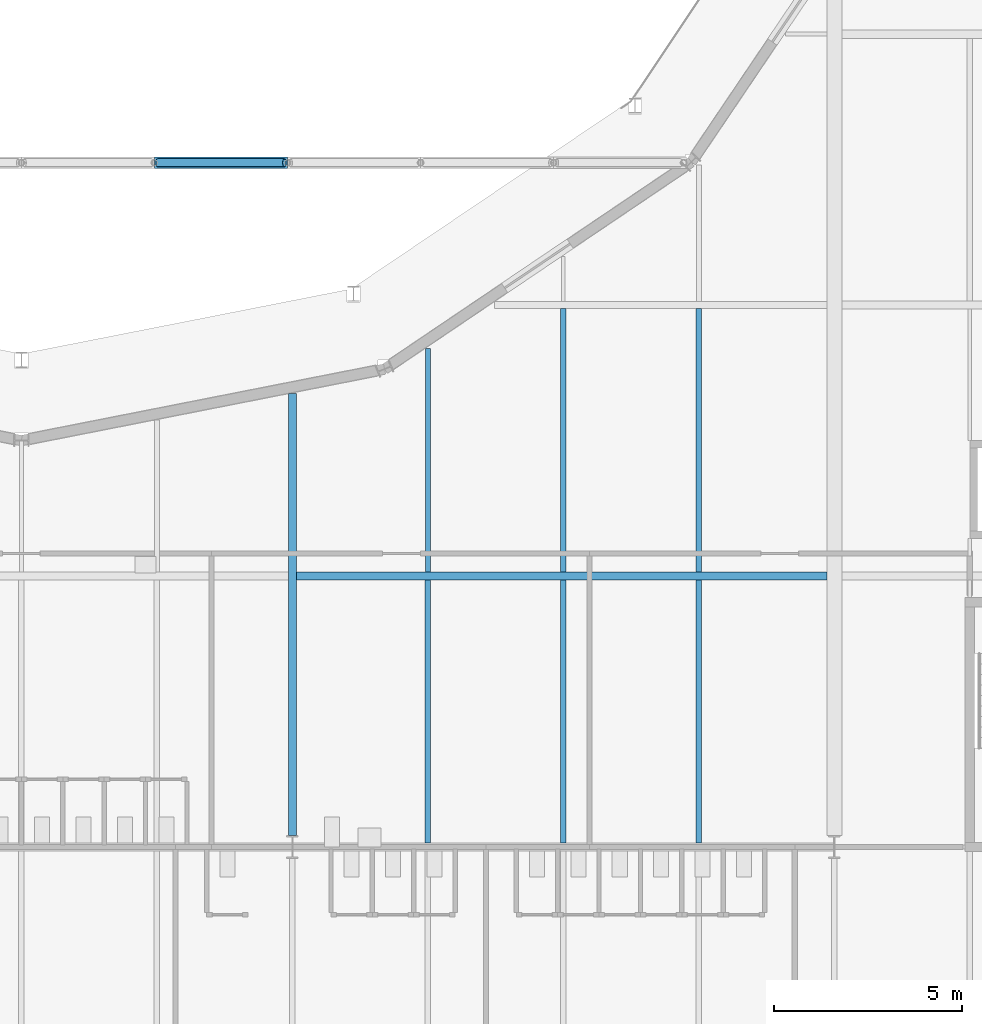
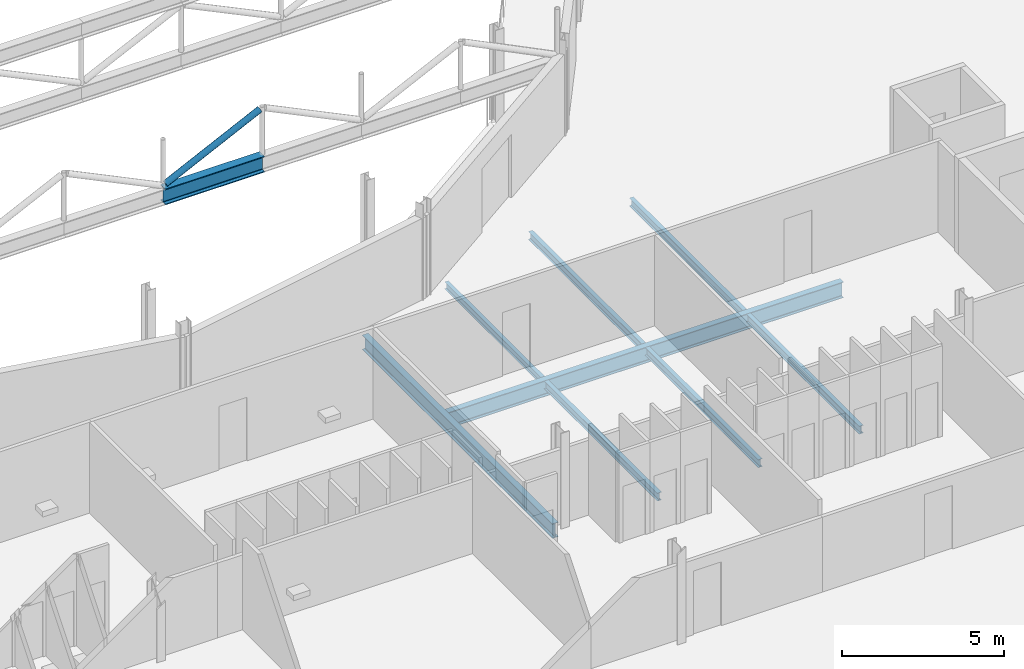
# One storey, part 39 of 143: 8 beams, 2 members.
"""IFC4 building model written with IfcOpenShell, lengths in metres."""

import ifcopenshell
import ifcopenshell.guid

model = None  # the IFC model being written
_history = None  # IfcOwnerHistory: only IFC2X3 demands one
_inside = {}  # id of a spatial element -> (the spatial element, [elements in it])
_under = {}  # id of a project, library or spatial element -> (it, [spatial elements below it])
_declared = {}  # id of a project -> (the project, [libraries it declares])
_typed = {}  # id of a type object -> (the type object, [elements of that type])
_made_of = {}  # id of a material, layer set ... -> (it, [elements and type objects made of it])


def new_model(schema):
    """Start an empty IFC model of exactly this schema.

    Asked for "IFC4X3", IfcOpenShell would pick the latest addendum, in which some entities
    have other attributes; the version numbers below select the first issue.
    IFC2X3 requires an IfcOwnerHistory on every rooted entity: one is made here for all.
    """
    global model, _history
    if schema == "IFC4X3":
        model = ifcopenshell.file(schema_version=(4, 3, 0, 0))
    else:
        model = ifcopenshell.file(schema=schema)
    _inside.clear()
    _under.clear()
    _declared.clear()
    _typed.clear()
    _made_of.clear()
    _history = None
    if model.schema == "IFC2X3":
        org = make("IfcOrganization", Name="unknown")
        user = make(
            "IfcPersonAndOrganization",
            ThePerson=make("IfcPerson", FamilyName="unknown"),
            TheOrganization=org,
        )
        app = make(
            "IfcApplication",
            ApplicationDeveloper=org,
            Version="unknown",
            ApplicationFullName="unknown",
            ApplicationIdentifier="unknown",
        )
        _history = make(
            "IfcOwnerHistory",
            OwningUser=user,
            OwningApplication=app,
            ChangeAction="ADDED",
            CreationDate=0,
        )
    return model


def make(cls, **values):
    """One entity of the class cls with the attributes given. An attribute that is None is left unset."""
    return model.create_entity(
        cls, **{name: value for name, value in values.items() if value is not None}
    )


def rooted(cls, **values):
    """An entity with a GlobalId (a new one), such as an element, a storey or a relation."""
    return make(cls, GlobalId=ifcopenshell.guid.new(), OwnerHistory=_history, **values)


def si_unit(unit_type, name, prefix=None):
    """IfcSIUnit, for example si_unit("LENGTHUNIT", "METRE", prefix="MILLI")."""
    return make("IfcSIUnit", UnitType=unit_type, Prefix=prefix, Name=name)


def assignment(units):
    """IfcUnitAssignment: the units of a project."""
    return None if units is None else make("IfcUnitAssignment", Units=units)


def point(xyz):
    """IfcCartesianPoint."""
    return None if xyz is None else make("IfcCartesianPoint", Coordinates=xyz)


def direction(xyz):
    """IfcDirection."""
    return None if xyz is None else make("IfcDirection", DirectionRatios=xyz)


def frame(location, z_axis=None, x_axis=None):
    """IfcAxis2Placement3D, a coordinate frame: its origin and axes. An axis left out is left unset."""
    return make(
        "IfcAxis2Placement3D",
        Location=point(location),
        Axis=direction(z_axis),
        RefDirection=direction(x_axis),
    )


def frame_2d(location, x_axis=None):
    """IfcAxis2Placement2D, a coordinate frame in the plane: its origin and x axis."""
    return make(
        "IfcAxis2Placement2D", Location=point(location), RefDirection=direction(x_axis)
    )


def origin():
    """The frame at (0, 0, 0) with its axes left unset."""
    return frame((0.0, 0.0, 0.0))


def origin_2d():
    """The frame at (0, 0) in the plane with its x axis left unset."""
    return frame_2d((0.0, 0.0))


def place(relative_to, where):
    """IfcLocalPlacement: puts the frame where relative to a parent placement (None: the world)."""
    return make(
        "IfcLocalPlacement", PlacementRelTo=relative_to, RelativePlacement=where
    )


def context(
    kind, dimensions, precision=None, world=None, true_north=None, identifier=None
):
    """IfcGeometricRepresentationContext, for example the 3D "Model" context."""
    return make(
        "IfcGeometricRepresentationContext",
        ContextIdentifier=identifier,
        ContextType=kind,
        CoordinateSpaceDimension=dimensions,
        Precision=precision,
        WorldCoordinateSystem=world,
        TrueNorth=true_north,
    )


def subcontext(parent, identifier, kind, view, scale=None):
    """IfcGeometricRepresentationSubContext, for example "Body" below "Model"."""
    return make(
        "IfcGeometricRepresentationSubContext",
        ContextIdentifier=identifier,
        ContextType=kind,
        ParentContext=parent,
        TargetScale=scale,
        TargetView=view,
    )


def project(units=None, contexts=None):
    """IfcProject with its units and contexts."""
    return rooted(
        "IfcProject",
        Name="project",
        RepresentationContexts=contexts,
        UnitsInContext=assignment(units),
    )


def spatial(cls, under=None, at=None, **own):
    """A site, building, storey or space (cls), placed at a placement, below another one or the project."""
    s = rooted(cls, ObjectPlacement=at, **own)
    if under is not None:
        _under.setdefault(under.id(), (under, []))[1].append(s)
    return s


def profile(cls, at=None, kind="AREA", **sizes):
    """A parametric profile (cls). Its sizes go by their IFC names, for example OverallWidth=200.0."""
    return make(cls, ProfileType=kind, Position=at, **sizes)


def hollow_circle(**sizes):
    """IfcCircleHollowProfileDef."""
    return profile("IfcCircleHollowProfileDef", **sizes)


def i_section(**sizes):
    """IfcIShapeProfileDef."""
    return profile("IfcIShapeProfileDef", **sizes)


def extrude(swept, where, along, depth):
    """IfcExtrudedAreaSolid: the profile swept, set in the frame where, extruded along a direction by depth."""
    return make(
        "IfcExtrudedAreaSolid",
        SweptArea=swept,
        Position=where,
        ExtrudedDirection=direction(along),
        Depth=depth,
    )


def shape(context_of_items, identifier, shape_type, items):
    """IfcShapeRepresentation: the items that make up one representation, for example the "Body"."""
    return make(
        "IfcShapeRepresentation",
        ContextOfItems=context_of_items,
        RepresentationIdentifier=identifier,
        RepresentationType=shape_type,
        Items=items,
    )


def material(Name=None, Category=None):
    """IfcMaterial."""
    return make("IfcMaterial", Name=Name, Category=Category)


def material_profile(
    of_material, cross_section, Name=None, Category=None, Priority=None
):
    """IfcMaterialProfile: a cross section and its material."""
    return make(
        "IfcMaterialProfile",
        Name=Name,
        Material=of_material,
        Profile=cross_section,
        Priority=Priority,
        Category=Category,
    )


def profile_set(profiles, Name=None, composite=None):
    """IfcMaterialProfileSet."""
    return make(
        "IfcMaterialProfileSet",
        Name=Name,
        MaterialProfiles=profiles,
        CompositeProfile=composite,
    )


def made_of(thing, what):
    """Note that an element or type object is made of a material, layer set ...; save() writes the relation."""
    if what is not None:
        _made_of.setdefault(what.id(), (what, []))[1].append(thing)
    return thing


def type_object(cls, material=None, **own):
    """A type object (cls), such as IfcWallType, which elements share."""
    return made_of(rooted(cls, **own), material)


def element(
    cls,
    number,
    at=None,
    inside=None,
    cuts=None,
    type_object=None,
    material=None,
    context=None,
    identifier="Body",
    shape_type=None,
    held_by="IfcProductDefinitionShape",
    body=None,
    shapes=None,
    **own,
):
    """One element of the class cls, such as IfcWall. Its Tag is "e" and its number.

    at: its placement. inside: the storey or other place that contains it. cuts: it is an
    opening in that element (IfcRelVoidsElement). A single representation is given by context,
    identifier, shape_type and body (its items); several are given by shapes. held_by: the class
    of the entity that holds the representations. save() writes the other relations.
    """
    e = rooted(cls, Tag="e%d" % number, ObjectPlacement=at, **own)
    if body is not None:
        shapes = [shape(context, identifier, shape_type, body)]
    if shapes is not None:
        e.Representation = make(held_by, Representations=shapes)
    if inside is not None:
        _inside.setdefault(inside.id(), (inside, []))[1].append(e)
    if cuts is not None:
        rooted(
            "IfcRelVoidsElement", RelatingBuildingElement=cuts, RelatedOpeningElement=e
        )
    if type_object is not None:
        _typed.setdefault(type_object.id(), (type_object, []))[1].append(e)
    return made_of(e, material)


def aggregate(whole, parts):
    """IfcRelAggregates: a whole, such as a stair, and the parts it consists of."""
    return rooted("IfcRelAggregates", RelatingObject=whole, RelatedObjects=parts)


def save(model, path):
    """Write the relations noted so far, then the file.

    IfcRelAggregates (storeys below a building ...), IfcRelContainedInSpatialStructure (elements
    in a storey), IfcRelDefinesByType, IfcRelAssociatesMaterial and IfcRelDeclares: one each for
    every whole, place, type object, material and project.
    """
    for whole, parts in _under.values():
        aggregate(whole, parts)
    for where, things in _inside.values():
        rooted(
            "IfcRelContainedInSpatialStructure",
            RelatedElements=things,
            RelatingStructure=where,
        )
    for kind, things in _typed.values():
        rooted("IfcRelDefinesByType", RelatedObjects=things, RelatingType=kind)
    for what, things in _made_of.values():
        rooted("IfcRelAssociatesMaterial", RelatedObjects=things, RelatingMaterial=what)
    for by, libraries in _declared.values():
        rooted("IfcRelDeclares", RelatingContext=by, RelatedDefinitions=libraries)
    model.write(path)


model = new_model("IFC4")

# Units and contexts
model_context = context("Model", 3, precision=1e-05, world=origin(), true_north=direction((0.0, 1.0)))
body_context = subcontext(model_context, "Body", "Model", "MODEL_VIEW")
ifc_project = project(units=[si_unit("LENGTHUNIT", "METRE"), si_unit("AREAUNIT", "SQUARE_METRE"), si_unit("VOLUMEUNIT", "CUBIC_METRE"), si_unit("PLANEANGLEUNIT", "RADIAN"), si_unit("MASSUNIT", "GRAM", prefix="KILO")], contexts=[model_context])

# Site, building, storey
site_placement = place(None, origin())
site = spatial("IfcSite", under=ifc_project, at=site_placement, CompositionType="ELEMENT")
building_placement = place(site_placement, origin())
building = spatial("IfcBuilding", under=site, at=building_placement, Name="Kupolbacken Congress Centre", CompositionType="ELEMENT")
storey_placement = place(building_placement, frame((0.0, 0.0, 7.199951171875)))
storey = spatial("IfcBuildingStorey", under=building, at=storey_placement, Name="L02", CompositionType="ELEMENT", Elevation=7.199951171875)

# Beams
ifc_material_1 = material(Name="Steel S355", Category="steel")
ifc_material_profile_1 = material_profile(ifc_material_1, i_section(OverallWidth=0.135009765625, OverallDepth=0.27001953125, WebThickness=0.006591796875, FlangeThickness=0.01025390625, FilletRadius=0.014892578125, at=origin_2d()), Name="IPE 270")
ifc_profile_set_1 = profile_set([ifc_material_profile_1], Name="Steel S355")
beam_type_1 = type_object("IfcBeamType", Name="B03 beam IPE 270", PredefinedType="BEAM", material=ifc_profile_set_1)
beam_1_placement = place(storey_placement, frame((54.0, 57.7099609375, -0.31494140625), z_axis=(0.0, 1.0, 0.0), x_axis=(-1.0, 0.0, 0.0)))
element("IfcBeam", 1, at=beam_1_placement, inside=storey, type_object=beam_type_1, Name="S/floor/P/L02/S125", PredefinedType="BEAM", context=body_context, shape_type="SweptSolid", body=[
    extrude(i_section(OverallWidth=0.135009765625, OverallDepth=0.27001953125, WebThickness=0.006591796875, FlangeThickness=0.01025390625, FilletRadius=0.014892578125, at=origin_2d()), origin(), (0.0, 0.0, 1.0), 5.939697265625),
])
ifc_material_2 = material(Name="Steel S355", Category="steel")
ifc_material_profile_2 = material_profile(ifc_material_2, i_section(OverallWidth=0.14990234375, OverallDepth=0.300048828125, WebThickness=0.007080078125, FlangeThickness=0.0107421875, FilletRadius=0.014892578125, at=origin_2d()), Name="IPE 300")
ifc_profile_set_2 = profile_set([ifc_material_profile_2], Name="Steel S355")
beam_type_2 = type_object("IfcBeamType", Name="B04 beam IPE 300", PredefinedType="BEAM", material=ifc_profile_set_2)
for number, where, z_axis, x_axis, name in (
    (2, (54.0, 50.510009765625, -0.329833984375), (0.0, 1.0, 0.0), (-1.0, 0.0, 0.0), "S/floor/P/L02/S124"),
    (3, (57.60009765625, 50.510009765625, -0.329833984375), (0.0, 1.0, 0.0), (-1.0, 0.0, 0.0), "S/floor/P/L02/S128"),
):
    element("IfcBeam", number, at=place(storey_placement, frame(where, z_axis=z_axis, x_axis=x_axis)), inside=storey, type_object=beam_type_2, Name=name, PredefinedType="BEAM", context=body_context, shape_type="SweptSolid", body=[
        extrude(i_section(OverallWidth=0.14990234375, OverallDepth=0.300048828125, WebThickness=0.007080078125, FlangeThickness=0.0107421875, FilletRadius=0.014892578125, at=origin_2d()), origin(), (0.0, 0.0, 1.0), 6.97998046875),
    ])
beam_2_placement = place(storey_placement, frame((57.60009765625, 57.7099609375, -0.329833984375), z_axis=(0.0, 1.0, 0.0), x_axis=(-1.0, 0.0, 0.0)))
element("IfcBeam", 4, at=beam_2_placement, inside=storey, type_object=beam_type_2, Name="S/floor/P/L02/S129", PredefinedType="BEAM", context=body_context, shape_type="SweptSolid", body=[
    extrude(i_section(OverallWidth=0.14990234375, OverallDepth=0.300048828125, WebThickness=0.007080078125, FlangeThickness=0.0107421875, FilletRadius=0.014892578125, at=origin_2d()), origin(), (0.0, 0.0, 1.0), 7.0),
])
beam_3_placement = place(storey_placement, frame((61.199951171875, 50.510009765625, -0.329833984375), z_axis=(0.0, 1.0, 0.0), x_axis=(-1.0, 0.0, 0.0)))
element("IfcBeam", 5, at=beam_3_placement, inside=storey, type_object=beam_type_2, Name="S/floor/P/L02/S134", PredefinedType="BEAM", context=body_context, shape_type="SweptSolid", body=[
    extrude(i_section(OverallWidth=0.14990234375, OverallDepth=0.300048828125, WebThickness=0.007080078125, FlangeThickness=0.0107421875, FilletRadius=0.014892578125, at=origin_2d()), origin(), (0.0, 0.0, 1.0), 6.97998046875),
])
beam_4_placement = place(storey_placement, frame((61.199951171875, 57.7099609375, -0.329833984375), z_axis=(0.0, 1.0, 0.0), x_axis=(-1.0, 0.0, 0.0)))
element("IfcBeam", 6, at=beam_4_placement, inside=storey, type_object=beam_type_2, Name="S/floor/P/L02/S135", PredefinedType="BEAM", context=body_context, shape_type="SweptSolid", body=[
    extrude(i_section(OverallWidth=0.14990234375, OverallDepth=0.300048828125, WebThickness=0.007080078125, FlangeThickness=0.0107421875, FilletRadius=0.014892578125, at=origin_2d()), origin(), (0.0, 0.0, 1.0), 7.0),
])
ifc_material_3 = material(Name="Steel S355", Category="steel")
ifc_material_profile_3 = material_profile(ifc_material_3, i_section(OverallWidth=0.2099609375, OverallDepth=0.550048828125, WebThickness=0.010986328125, FlangeThickness=0.01708984375, FilletRadius=0.02392578125, at=origin_2d()), Name="IPE 550")
ifc_profile_set_3 = profile_set([ifc_material_profile_3], Name="Steel S355")
beam_type_3 = type_object("IfcBeamType", Name="B10 beam IPE 550", PredefinedType="BEAM", material=ifc_profile_set_3)
beam_5_placement = place(storey_placement, frame((50.39990234375, 50.699951171875, -0.454833984375), z_axis=(0.0, 1.0, 0.0), x_axis=(-1.0, 0.0, 0.0)))
element("IfcBeam", 7, at=beam_5_placement, inside=storey, type_object=beam_type_3, Name="S/floor/P/L02/G027", PredefinedType="BEAM", context=body_context, shape_type="SweptSolid", body=[
    extrude(i_section(OverallWidth=0.2099609375, OverallDepth=0.550048828125, WebThickness=0.010986328125, FlangeThickness=0.01708984375, FilletRadius=0.02392578125, at=origin_2d()), origin(), (0.0, 0.0, 1.0), 11.744140625),
])
ifc_material_4 = material(Name="Steel S355", Category="steel")
ifc_material_profile_4 = material_profile(ifc_material_4, i_section(OverallWidth=0.219970703125, OverallDepth=0.60009765625, WebThickness=0.011962890625, FlangeThickness=0.01904296875, FilletRadius=0.02392578125, at=origin_2d()), Name="IPE 600")
ifc_profile_set_4 = profile_set([ifc_material_profile_4], Name="Steel S355")
beam_type_4 = type_object("IfcBeamType", Name="B11 beam IPE 600", PredefinedType="BEAM", material=ifc_profile_set_4)
beam_6_placement = place(storey_placement, frame((50.5048828125, 57.60009765625, -0.47998046875), z_axis=(1.0, 0.0, 0.0), x_axis=(0.0, 1.0, 0.0)))
element("IfcBeam", 8, at=beam_6_placement, inside=storey, type_object=beam_type_4, Name="S/floor/P/L02/R041", PredefinedType="BEAM", context=body_context, shape_type="SweptSolid", body=[
    extrude(i_section(OverallWidth=0.219970703125, OverallDepth=0.60009765625, WebThickness=0.011962890625, FlangeThickness=0.01904296875, FilletRadius=0.02392578125, at=origin_2d()), origin(), (0.0, 0.0, 1.0), 14.09521484375),
])

# Members
ifc_material_5 = material(Name="Steel S355", Category="steel")
ifc_material_profile_5 = material_profile(ifc_material_5, i_section(OverallWidth=0.300048828125, OverallDepth=0.60009765625, WebThickness=0.015380859375, FlangeThickness=0.030029296875, FilletRadius=0.027099609375, at=origin_2d()), Name="HEB 600")
ifc_profile_set_5 = profile_set([ifc_material_profile_5], Name="Steel S355")
member_type_1 = type_object("IfcMemberType", Name="M02 transfer truss chord HEB 600", PredefinedType="CHORD", material=ifc_profile_set_5)
member_1_placement = place(storey_placement, frame((46.73583984375, 68.580810546875, 2.634033203125), z_axis=(1.0, 0.0, 0.0), x_axis=(0.0, 1.0, 0.0)))
element("IfcMember", 9, at=member_1_placement, inside=storey, type_object=member_type_1, Name="PD/L02/balc/trussR/BC07", PredefinedType="CHORD", context=body_context, shape_type="SweptSolid", body=[
    extrude(i_section(OverallWidth=0.300048828125, OverallDepth=0.60009765625, WebThickness=0.015380859375, FlangeThickness=0.030029296875, FilletRadius=0.027099609375, at=origin_2d()), origin(), (0.0, 0.0, 1.0), 3.535888671875),
])
ifc_material_6 = material(Name="Steel S355", Category="steel")
ifc_material_profile_6 = material_profile(ifc_material_6, hollow_circle(Radius=0.109619140625, WallThickness=0.010009765625, at=origin_2d()), Name="CHS 219.1 x 10")
ifc_profile_set_6 = profile_set([ifc_material_profile_6], Name="Steel S355")
member_type_2 = type_object("IfcMemberType", Name="M05 transfer truss web CHS 219.1 x 10", PredefinedType="BRACE", material=ifc_profile_set_6)
member_2_placement = place(storey_placement, frame((46.820068359375, 68.580810546875, 3.020751953125), z_axis=(0.900441439307, 0.0, 0.434977257312), x_axis=(0.0, 1.0, 0.0)))
element("IfcMember", 10, at=member_2_placement, inside=storey, type_object=member_type_2, Name="PD/L02/balc/trussR/D07", PredefinedType="BRACE", context=body_context, shape_type="SweptSolid", body=[
    extrude(hollow_circle(Radius=0.109619140625, WallThickness=0.010009765625, at=origin_2d()), origin(), (0.0, 0.0, 1.0), 3.73974609375),
])

save(model, "model.ifc")
